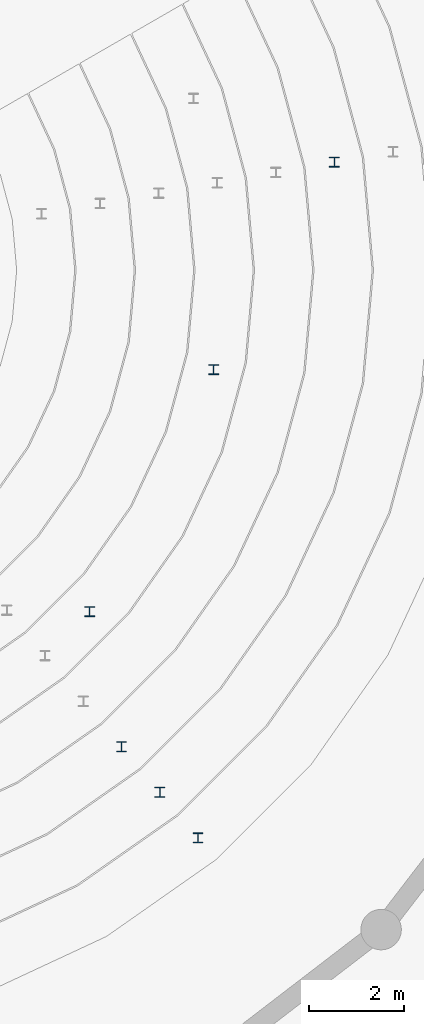
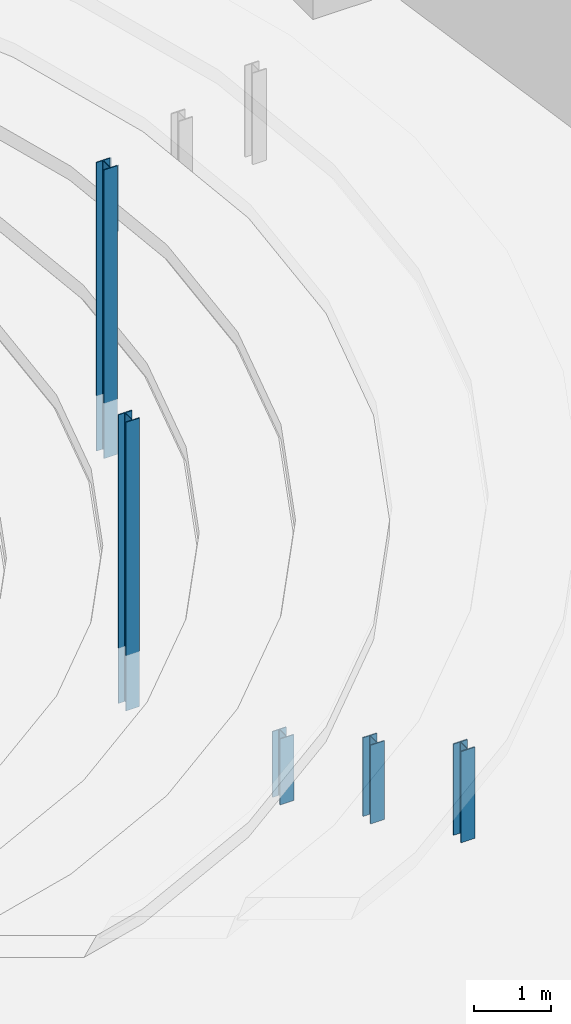
# One storey, part 15 of 103: 6 columns.
"""IFC4 building model written with IfcOpenShell, lengths in metres."""

from ifc_helpers import new_model, si_unit, direction, frame, origin, origin_2d, place, context, subcontext, project, spatial, i_section, extrude, material, material_profile, profile_set, type_object, element, save


model = new_model("IFC4")

# Units and contexts
model_context = context("Model", 3, precision=1e-05, world=origin(), true_north=direction((0.0, 1.0)))
body_context = subcontext(model_context, "Body", "Model", "MODEL_VIEW")
ifc_project = project(units=[si_unit("LENGTHUNIT", "METRE"), si_unit("AREAUNIT", "SQUARE_METRE"), si_unit("VOLUMEUNIT", "CUBIC_METRE"), si_unit("PLANEANGLEUNIT", "RADIAN"), si_unit("MASSUNIT", "GRAM", prefix="KILO")], contexts=[model_context])

# Site, building, storey
site_placement = place(None, origin())
site = spatial("IfcSite", under=ifc_project, at=site_placement, CompositionType="ELEMENT")
building_placement = place(site_placement, origin())
building = spatial("IfcBuilding", under=site, at=building_placement, Name="Marnock Terrace Opera House", CompositionType="ELEMENT")
storey_placement = place(building_placement, origin())
storey = spatial("IfcBuildingStorey", under=building, at=storey_placement, Name="L00", CompositionType="ELEMENT", Elevation=0.0)

# Columns
ifc_material = material(Name="Steel Grade 350 (AS/NZS 3679.1)", Category="steel")
ifc_material_profile = material_profile(ifc_material, i_section(OverallWidth=0.205078125, OverallDepth=0.209716796875, WebThickness=0.00927734375, FlangeThickness=0.01416015625, FilletRadius=0.011474609375, at=origin_2d()))
ifc_profile_set = profile_set([ifc_material_profile], Name="Steel Grade 350 (AS/NZS 3679.1)")
column_type = type_object("IfcColumnType", Name="COL-UC200", PredefinedType="COLUMN", material=ifc_profile_set)
for number, where, z_axis, x_axis, name in (
    (1, (90.404296875, 50.48388671875, 0.0), (0.0, 0.0, 1.0), (1.0, 0.0, 0.0), "L00 Stalls tier 6 support post 16"),
    (2, (94.87646484375, 62.7705078125, 0.0), (0.0, 0.0, 1.0), (1.0, 0.0, 0.0), "L00 Stalls tier 6 support post 22"),
):
    element("IfcColumn", number, at=place(storey_placement, frame(where, z_axis=z_axis, x_axis=x_axis)), inside=storey, type_object=column_type, Name=name, PredefinedType="COLUMN", context=body_context, shape_type="SweptSolid", body=[
        extrude(i_section(OverallWidth=0.205078125, OverallDepth=0.209716796875, WebThickness=0.00927734375, FlangeThickness=0.01416015625, FilletRadius=0.011474609375, at=origin_2d()), origin(), (0.0, 0.0, 1.0), 1.044921875),
    ])
column_1_placement = place(storey_placement, frame((91.2080078125, 49.5263671875, 0.0), z_axis=(0.0, 0.0, 1.0), x_axis=(1.0, 0.0, 0.0)))
element("IfcColumn", 3, at=column_1_placement, inside=storey, type_object=column_type, Name="L00 Stalls tier 7 support post 16", PredefinedType="COLUMN", context=body_context, shape_type="SweptSolid", body=[
    extrude(i_section(OverallWidth=0.205078125, OverallDepth=0.209716796875, WebThickness=0.00927734375, FlangeThickness=0.01416015625, FilletRadius=0.011474609375, at=origin_2d()), origin(), (0.0, 0.0, 1.0), 1.2451171875),
])
column_2_placement = place(storey_placement, frame((92.011474609375, 48.56884765625, 0.0), z_axis=(0.0, 0.0, 1.0), x_axis=(1.0, 0.0, 0.0)))
element("IfcColumn", 4, at=column_2_placement, inside=storey, type_object=column_type, Name="L00 Stalls tier 8 support post 16", PredefinedType="COLUMN", context=body_context, shape_type="SweptSolid", body=[
    extrude(i_section(OverallWidth=0.205078125, OverallDepth=0.209716796875, WebThickness=0.00927734375, FlangeThickness=0.01416015625, FilletRadius=0.011474609375, at=origin_2d()), origin(), (0.0, 0.0, 1.0), 1.445068359375),
])
for number, where, z_axis, x_axis, name in (
    (5, (89.733642578125, 53.32421875, 0.0), (0.0, 0.0, 1.0), (1.0, 0.0, 0.0), "L00 Auditorium balcony-front column 6"),
    (6, (92.3408203125, 58.40966796875, 0.0), (0.0, 0.0, 1.0), (1.0, 0.0, 0.0), "L00 Auditorium balcony-front column 7"),
):
    element("IfcColumn", number, at=place(storey_placement, frame(where, z_axis=z_axis, x_axis=x_axis)), inside=storey, type_object=column_type, Name=name, PredefinedType="COLUMN", context=body_context, shape_type="SweptSolid", body=[
        extrude(i_section(OverallWidth=0.205078125, OverallDepth=0.209716796875, WebThickness=0.00927734375, FlangeThickness=0.01416015625, FilletRadius=0.011474609375, at=origin_2d()), origin(), (0.0, 0.0, 1.0), 4.570068359375),
    ])

save(model, "model.ifc")
